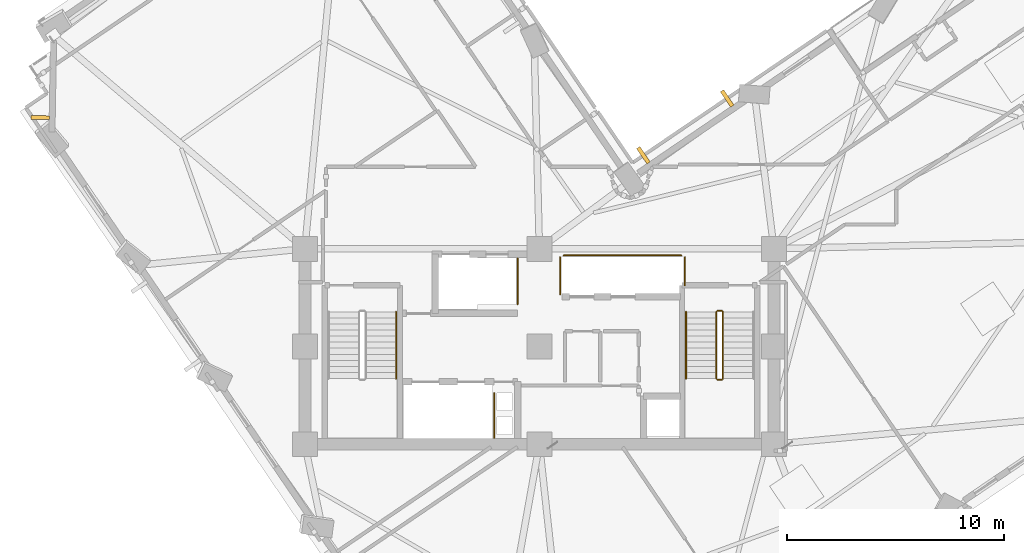
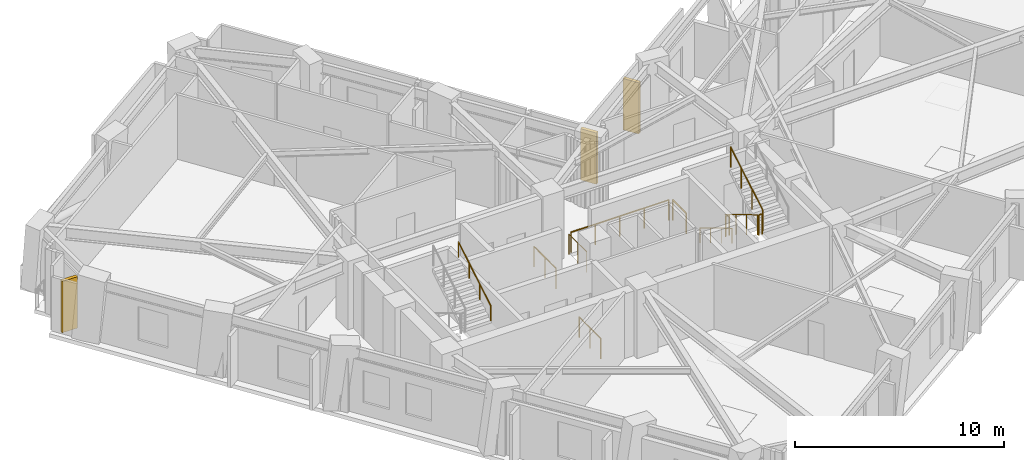
# One storey, part 13 of 16: 11 railings, 3 shading devices.
"""IFC4 building model written with IfcOpenShell, lengths in metres."""

from ifc_helpers import new_model, si_unit, direction, frame, origin, origin_2d, place, context, subcontext, project, spatial, rectangle, circle, extrude, material, type_object, element, save


model = new_model("IFC4")

# Units and contexts
model_context = context("Model", 3, precision=1e-05, world=origin(), true_north=direction((0.0, 1.0)))
body_context = subcontext(model_context, "Body", "Model", "MODEL_VIEW")
ifc_project = project(units=[si_unit("LENGTHUNIT", "METRE"), si_unit("AREAUNIT", "SQUARE_METRE"), si_unit("VOLUMEUNIT", "CUBIC_METRE"), si_unit("PLANEANGLEUNIT", "RADIAN"), si_unit("MASSUNIT", "GRAM", prefix="KILO")], contexts=[model_context])

# Site, building, storey
site_placement = place(None, origin())
site = spatial("IfcSite", under=ifc_project, at=site_placement, CompositionType="ELEMENT")
building_placement = place(site_placement, origin())
building = spatial("IfcBuilding", under=site, at=building_placement, Name="Gaonmaruhae Medical Tower", CompositionType="ELEMENT")
storey_placement = place(building_placement, frame((0.0, 0.0, 169.800048828125)))
storey = spatial("IfcBuildingStorey", under=building, at=storey_placement, Name="L40", CompositionType="ELEMENT", Elevation=169.800048828125)

# Railings
ifc_material_1 = material(Name="Stainless steel 304 handrail", Category="steel")
railing_type_1 = type_object("IfcRailingType", Name="HR-092 Continuous Stainless Steel Stair Handrail", PredefinedType="HANDRAIL", material=ifc_material_1)
railing_1_placement = place(storey_placement, frame((18.199951171875, 10.820068359375, 2.16650390625)))
element("IfcRailing", 1, at=railing_1_placement, inside=storey, type_object=railing_type_1, Name="L40 ST-01 stair handrail 2", PredefinedType="HANDRAIL", context=body_context, shape_type="SweptSolid", body=[
    extrude(circle(Radius=0.02392578125, at=origin_2d()), frame((0.0, 0.0, 0.8759765625), z_axis=(0.0, 0.859260807169, 0.511537745687), x_axis=(-1.0, 0.0, 0.0)), (0.0, 0.0, 1.0), 3.584228515625),
    extrude(circle(Radius=0.02099609375, at=origin_2d()), origin(), (0.0, 0.0, 1.0), 0.851806640625),
    extrude(circle(Radius=0.02099609375, at=origin_2d()), frame((0.0, 1.026611328125, 0.611083984375)), (0.0, 0.0, 1.0), 0.851806640625),
    extrude(circle(Radius=0.02099609375, at=origin_2d()), frame((0.0, 2.05322265625, 1.222412109375)), (0.0, 0.0, 1.0), 0.851806640625),
    extrude(circle(Radius=0.02099609375, at=origin_2d()), frame((0.0, 3.079833984375, 1.83349609375)), (0.0, 0.0, 1.0), 0.851806640625),
])
railing_2_placement = place(storey_placement, frame((31.550048828125, 13.89990234375, 0.16650390625)))
element("IfcRailing", 2, at=railing_2_placement, inside=storey, type_object=railing_type_1, Name="L40 ST-02 stair handrail 1", PredefinedType="HANDRAIL", context=body_context, shape_type="SweptSolid", body=[
    extrude(circle(Radius=0.02392578125, at=origin_2d()), frame((0.0, 0.0, 0.8759765625), z_axis=(0.0, -0.859260807169, 0.511537745687), x_axis=(1.0, 0.0, 0.0)), (0.0, 0.0, 1.0), 3.584228515625),
    extrude(circle(Radius=0.02099609375, at=origin_2d()), origin(), (0.0, 0.0, 1.0), 0.851806640625),
    extrude(circle(Radius=0.02099609375, at=origin_2d()), frame((0.0, -1.026611328125, 0.611083984375)), (0.0, 0.0, 1.0), 0.851806640625),
    extrude(circle(Radius=0.02099609375, at=origin_2d()), frame((0.0, -2.05322265625, 1.222412109375)), (0.0, 0.0, 1.0), 0.851806640625),
    extrude(circle(Radius=0.02099609375, at=origin_2d()), frame((0.0, -3.079833984375, 1.83349609375)), (0.0, 0.0, 1.0), 0.851806640625),
])

# Shading devices
ifc_material_2 = material(Name="Pigmented coral precast concrete C45/55", Category="concrete")
shading_device_type = type_object("IfcShadingDeviceType", Name="SD-FIN1 Tower Vertical Coral Precast Shading Fin", PredefinedType="USERDEFINED", material=ifc_material_2)
for number, where, z_axis, x_axis, name in (
    (3, (29.59033203125, 21.101806640625, 0.08251953125), (0.0, 0.0, 1.0), (0.827090384354, 0.562068942487, 0.0), "L40 Vertical Coral Precast Shading Fin EN03"),
    (4, (33.444580078125, 23.720947265625, 0.08251953125), (0.0, 0.0, 1.0), (0.827090384354, 0.562068942487, 0.0), "L40 Vertical Coral Precast Shading Fin EN03B"),
    (5, (1.82373046875, 22.839111328125, 0.08251953125), (0.0, 0.0, 1.0), (0.017766516988, 0.999842162981, 0.0), "L40 Vertical Coral Precast Shading Fin N03"),
):
    element("IfcShadingDevice", number, at=place(storey_placement, frame(where, z_axis=z_axis, x_axis=x_axis)), inside=storey, type_object=shading_device_type, Name=name, ObjectType="FIN", PredefinedType="USERDEFINED", context=body_context, shape_type="SweptSolid", body=[
        extrude(rectangle(XDim=0.179931640625, YDim=0.85009765625, at=origin_2d()), origin(), (0.0, 0.0, 1.0), 3.0),
    ])

# Railings
ifc_material_3 = material(Name="Stainless steel 304 balustrade", Category="steel")
railing_type_2 = type_object("IfcRailingType", Name="SG-112 Stair Well & Ramp Void Safety Balustrade", PredefinedType="BALUSTRADE", material=ifc_material_3)
railing_3_placement = place(storey_placement, frame((32.949951171875, 13.89990234375, 0.16650390625)))
element("IfcRailing", 6, at=railing_3_placement, inside=storey, type_object=railing_type_2, Name="L40 ST-02 stair guard 1", PredefinedType="BALUSTRADE", context=body_context, shape_type="SweptSolid", body=[
    extrude(circle(Radius=0.02392578125, at=origin_2d()), frame((0.0, 0.0, 1.17578125), z_axis=(0.0, -0.859260807169, 0.511537745687), x_axis=(1.0, 0.0, 0.0)), (0.0, 0.0, 1.0), 3.584228515625),
    extrude(circle(Radius=0.02099609375, at=origin_2d()), origin(), (0.0, 0.0, 1.0), 1.15185546875),
    extrude(circle(Radius=0.02099609375, at=origin_2d()), frame((0.0, -1.026611328125, 0.611083984375)), (0.0, 0.0, 1.0), 1.15185546875),
    extrude(circle(Radius=0.02099609375, at=origin_2d()), frame((0.0, -2.05322265625, 1.222412109375)), (0.0, 0.0, 1.0), 1.15185546875),
    extrude(circle(Radius=0.02099609375, at=origin_2d()), frame((0.0, -3.079833984375, 1.83349609375)), (0.0, 0.0, 1.0), 1.15185546875),
])
railing_4_placement = place(storey_placement, frame((33.0, 10.77001953125, 2.0)))
element("IfcRailing", 7, at=railing_4_placement, inside=storey, type_object=railing_type_2, Name="L40 ST-02 stair guard 2", PredefinedType="BALUSTRADE", context=body_context, shape_type="SweptSolid", body=[
    extrude(circle(Radius=0.02392578125, at=origin_2d()), frame((0.0, 0.0, 1.17578125), z_axis=(1.0, 0.0, 0.0), x_axis=(0.0, 1.0, 0.0)), (0.0, 0.0, 1.0), 0.199951171875),
    extrude(circle(Radius=0.02099609375, at=origin_2d()), origin(), (0.0, 0.0, 1.0), 1.15185546875),
    extrude(circle(Radius=0.02099609375, at=origin_2d()), frame((0.199951171875, 0.0, 0.0)), (0.0, 0.0, 1.0), 1.15185546875),
])
railing_5_placement = place(storey_placement, frame((33.25, 10.820068359375, 2.16650390625)))
element("IfcRailing", 8, at=railing_5_placement, inside=storey, type_object=railing_type_2, Name="L40 ST-02 stair guard 3", PredefinedType="BALUSTRADE", context=body_context, shape_type="SweptSolid", body=[
    extrude(circle(Radius=0.02392578125, at=origin_2d()), frame((0.0, 0.0, 1.17578125), z_axis=(0.0, 0.859260807169, 0.511537745687), x_axis=(-1.0, 0.0, 0.0)), (0.0, 0.0, 1.0), 3.584228515625),
    extrude(circle(Radius=0.02099609375, at=origin_2d()), origin(), (0.0, 0.0, 1.0), 1.15185546875),
    extrude(circle(Radius=0.02099609375, at=origin_2d()), frame((0.0, 1.026611328125, 0.611083984375)), (0.0, 0.0, 1.0), 1.15185546875),
    extrude(circle(Radius=0.02099609375, at=origin_2d()), frame((0.0, 2.05322265625, 1.222412109375)), (0.0, 0.0, 1.0), 1.15185546875),
    extrude(circle(Radius=0.02099609375, at=origin_2d()), frame((0.0, 3.079833984375, 1.83349609375)), (0.0, 0.0, 1.0), 1.15185546875),
])
railing_6_placement = place(storey_placement, frame((33.0, 13.949951171875, 0.0)))
element("IfcRailing", 9, at=railing_6_placement, inside=storey, type_object=railing_type_2, Name="L40 ST-02 stair guard 4", PredefinedType="BALUSTRADE", context=body_context, shape_type="SweptSolid", body=[
    extrude(circle(Radius=0.02392578125, at=origin_2d()), frame((0.0, 0.0, 1.17578125), z_axis=(1.0, 0.0, 0.0), x_axis=(0.0, 1.0, 0.0)), (0.0, 0.0, 1.0), 0.199951171875),
    extrude(circle(Radius=0.02099609375, at=origin_2d()), origin(), (0.0, 0.0, 1.0), 1.15185546875),
    extrude(circle(Radius=0.02099609375, at=origin_2d()), frame((0.199951171875, 0.0, 0.0)), (0.0, 0.0, 1.0), 1.15185546875),
])
railing_7_placement = place(storey_placement, frame((22.719970703125, 10.159912109375, 0.0)))
element("IfcRailing", 10, at=railing_7_placement, inside=storey, type_object=railing_type_2, Name="L40 Shaft Edge Safety Guard 10", PredefinedType="BALUSTRADE", context=body_context, shape_type="SweptSolid", body=[
    extrude(circle(Radius=0.02392578125, at=origin_2d()), frame((0.0, 0.0, 1.17578125), z_axis=(0.0, -1.0, 0.0), x_axis=(1.0, 0.0, 0.0)), (0.0, 0.0, 1.0), 2.06494140625),
    extrude(circle(Radius=0.02099609375, at=origin_2d()), origin(), (0.0, 0.0, 1.0), 1.15185546875),
    extrude(circle(Radius=0.02099609375, at=origin_2d()), frame((0.0, -1.032470703125, 0.0)), (0.0, 0.0, 1.0), 1.15185546875),
    extrude(circle(Radius=0.02099609375, at=origin_2d()), frame((0.0, -2.06494140625, 0.0)), (0.0, 0.0, 1.0), 1.15185546875),
])
railing_8_placement = place(storey_placement, frame((23.794921875, 16.35498046875, 0.0)))
element("IfcRailing", 11, at=railing_8_placement, inside=storey, type_object=railing_type_2, Name="L40 Shaft Edge Safety Guard 11", PredefinedType="BALUSTRADE", context=body_context, shape_type="SweptSolid", body=[
    extrude(circle(Radius=0.02392578125, at=origin_2d()), frame((0.0, 0.0, 1.17578125), z_axis=(0.0, -1.0, 0.0), x_axis=(1.0, 0.0, 0.0)), (0.0, 0.0, 1.0), 2.10986328125),
    extrude(circle(Radius=0.02099609375, at=origin_2d()), origin(), (0.0, 0.0, 1.0), 1.15185546875),
    extrude(circle(Radius=0.02099609375, at=origin_2d()), frame((0.0, -1.054931640625, 0.0)), (0.0, 0.0, 1.0), 1.15185546875),
    extrude(circle(Radius=0.02099609375, at=origin_2d()), frame((0.0, -2.10986328125, 0.0)), (0.0, 0.0, 1.0), 1.15185546875),
])
railing_9_placement = place(storey_placement, frame((31.4951171875, 16.405029296875, 0.0)))
element("IfcRailing", 12, at=railing_9_placement, inside=storey, type_object=railing_type_2, Name="L40 Shaft Edge Safety Guard 12", PredefinedType="BALUSTRADE", context=body_context, shape_type="SweptSolid", body=[
    extrude(circle(Radius=0.02392578125, at=origin_2d()), frame((0.0, 0.0, 1.17578125), z_axis=(0.0, -1.0, 0.0), x_axis=(1.0, 0.0, 0.0)), (0.0, 0.0, 1.0), 1.284912109375),
    extrude(circle(Radius=0.02099609375, at=origin_2d()), origin(), (0.0, 0.0, 1.0), 1.15185546875),
    extrude(circle(Radius=0.02099609375, at=origin_2d()), frame((0.0, -1.284912109375, 0.0)), (0.0, 0.0, 1.0), 1.15185546875),
])
railing_10_placement = place(storey_placement, frame((25.7548828125, 14.695068359375, 0.0)))
element("IfcRailing", 13, at=railing_10_placement, inside=storey, type_object=railing_type_2, Name="L40 Shaft Edge Safety Guard 13", PredefinedType="BALUSTRADE", context=body_context, shape_type="SweptSolid", body=[
    extrude(circle(Radius=0.02392578125, at=origin_2d()), frame((0.0, 0.0, 1.17578125), z_axis=(0.0, 1.0, 0.0), x_axis=(-1.0, 0.0, 0.0)), (0.0, 0.0, 1.0), 1.7099609375),
    extrude(circle(Radius=0.02099609375, at=origin_2d()), origin(), (0.0, 0.0, 1.0), 1.15185546875),
    extrude(circle(Radius=0.02099609375, at=origin_2d()), frame((0.0, 0.85498046875, 0.0)), (0.0, 0.0, 1.0), 1.15185546875),
    extrude(circle(Radius=0.02099609375, at=origin_2d()), frame((0.0, 1.7099609375, 0.0)), (0.0, 0.0, 1.0), 1.15185546875),
])
railing_11_placement = place(storey_placement, frame((25.919921875, 16.4951171875, 0.0)))
element("IfcRailing", 14, at=railing_11_placement, inside=storey, type_object=railing_type_2, Name="L40 Shaft Edge Safety Guard 14", PredefinedType="BALUSTRADE", context=body_context, shape_type="SweptSolid", body=[
    extrude(circle(Radius=0.02392578125, at=origin_2d()), frame((0.0, 0.0, 1.17578125), z_axis=(1.0, 0.0, 0.0), x_axis=(0.0, 1.0, 0.0)), (0.0, 0.0, 1.0), 5.41015625),
    extrude(circle(Radius=0.02099609375, at=origin_2d()), origin(), (0.0, 0.0, 1.0), 1.15185546875),
    extrude(circle(Radius=0.02099609375, at=origin_2d()), frame((1.3525390625, 0.0, 0.0)), (0.0, 0.0, 1.0), 1.15185546875),
    extrude(circle(Radius=0.02099609375, at=origin_2d()), frame((2.705078125, 0.0, 0.0)), (0.0, 0.0, 1.0), 1.15185546875),
    extrude(circle(Radius=0.02099609375, at=origin_2d()), frame((4.0576171875, 0.0, 0.0)), (0.0, 0.0, 1.0), 1.15185546875),
    extrude(circle(Radius=0.02099609375, at=origin_2d()), frame((5.41015625, 0.0, 0.0)), (0.0, 0.0, 1.0), 1.15185546875),
])

save(model, "model.ifc")
